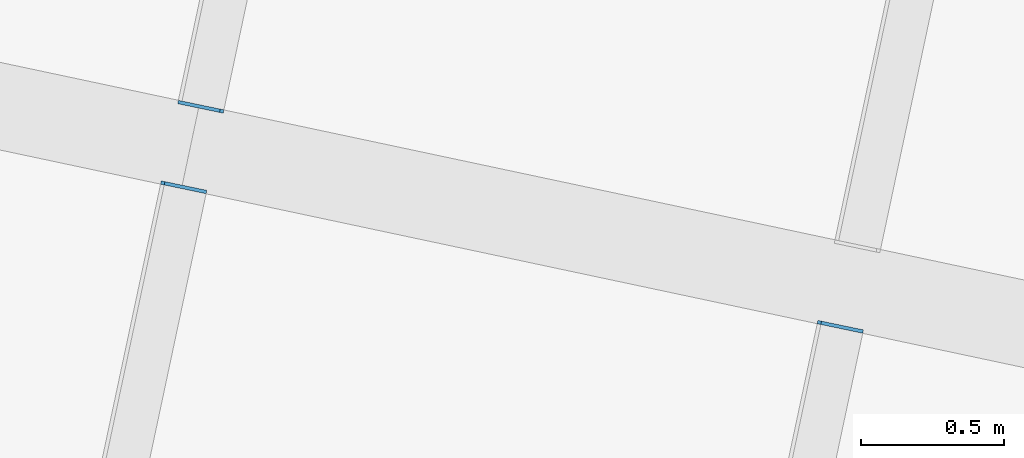
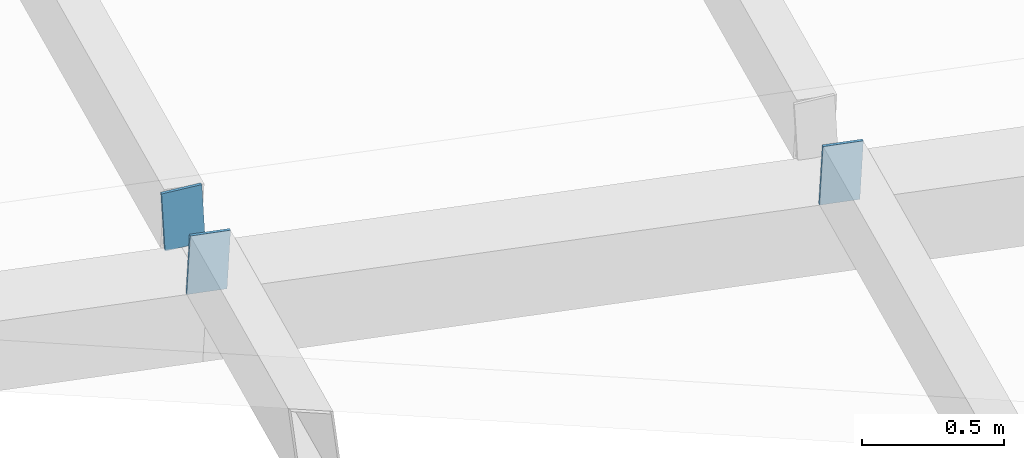
# One storey, part 154 of 196: 3 discrete accessories.
"""IFC4 building model written with IfcOpenShell, lengths in metres."""

from ifc_helpers import new_model, si_unit, direction, frame, origin, origin_2d, place, context, subcontext, project, spatial, rectangle, extrude, material, layer, layer_set, type_object, element, save


model = new_model("IFC4")

# Units and contexts
model_context = context("Model", 3, precision=1e-05, world=origin(), true_north=direction((0.0, 1.0)))
body_context = subcontext(model_context, "Body", "Model", "MODEL_VIEW")
ifc_project = project(units=[si_unit("LENGTHUNIT", "METRE"), si_unit("AREAUNIT", "SQUARE_METRE"), si_unit("VOLUMEUNIT", "CUBIC_METRE"), si_unit("PLANEANGLEUNIT", "RADIAN"), si_unit("MASSUNIT", "GRAM", prefix="KILO")], contexts=[model_context])

# Site, building, storey
site_placement = place(None, origin())
site = spatial("IfcSite", under=ifc_project, at=site_placement, CompositionType="ELEMENT")
building_placement = place(site_placement, origin())
building = spatial("IfcBuilding", under=site, at=building_placement, Name="Okhra Congress Centre", CompositionType="ELEMENT")
storey_placement = place(building_placement, frame((0.0, 0.0, 12.0)))
storey = spatial("IfcBuildingStorey", under=building, at=storey_placement, Name="L02", CompositionType="ELEMENT", Elevation=12.0)

# Discrete accessories
ifc_material = material(Name="Steel S355J2", Category="steel")
ifc_layer = layer(ifc_material, 0.011962890625)
ifc_layer_set = layer_set([ifc_layer], Name="Hollow section end cap 12 mm S355")
discrete_accessory_type = type_object("IfcDiscreteAccessoryType", Name="Hollow section end cap 12 mm S355", PredefinedType="BRACKET", material=ifc_layer_set)
for number, where, z_axis, x_axis, name in (
    (1, (226.45361328125, 107.26708984375, 2.971923828125), (0.203954254112, 0.978980419738, 0.0), (-0.977638761096, 0.203674741895, 0.052335956243), "Hollow section end cap"),
    (2, (228.752197265625, 106.778564453125, 2.848876953125), (0.203954254112, 0.978980419738, 0.0), (-0.977638761096, 0.203674741895, 0.052335956243), "Hollow section end cap"),
    (3, (226.515869140625, 107.560546875, 2.971923828125), (-0.203954254112, -0.978980419738, 0.0), (0.977638761096, -0.203674741895, 0.052335956243), "Hollow section end cap"),
):
    element("IfcDiscreteAccessory", number, at=place(storey_placement, frame(where, z_axis=z_axis, x_axis=x_axis)), inside=storey, type_object=discrete_accessory_type, Name=name, PredefinedType="BRACKET", context=body_context, shape_type="SweptSolid", body=[
        extrude(rectangle(XDim=0.14990234375, YDim=0.25, at=origin_2d()), origin(), (0.0, 0.0, 1.0), 0.011962890625),
    ])

save(model, "model.ifc")
